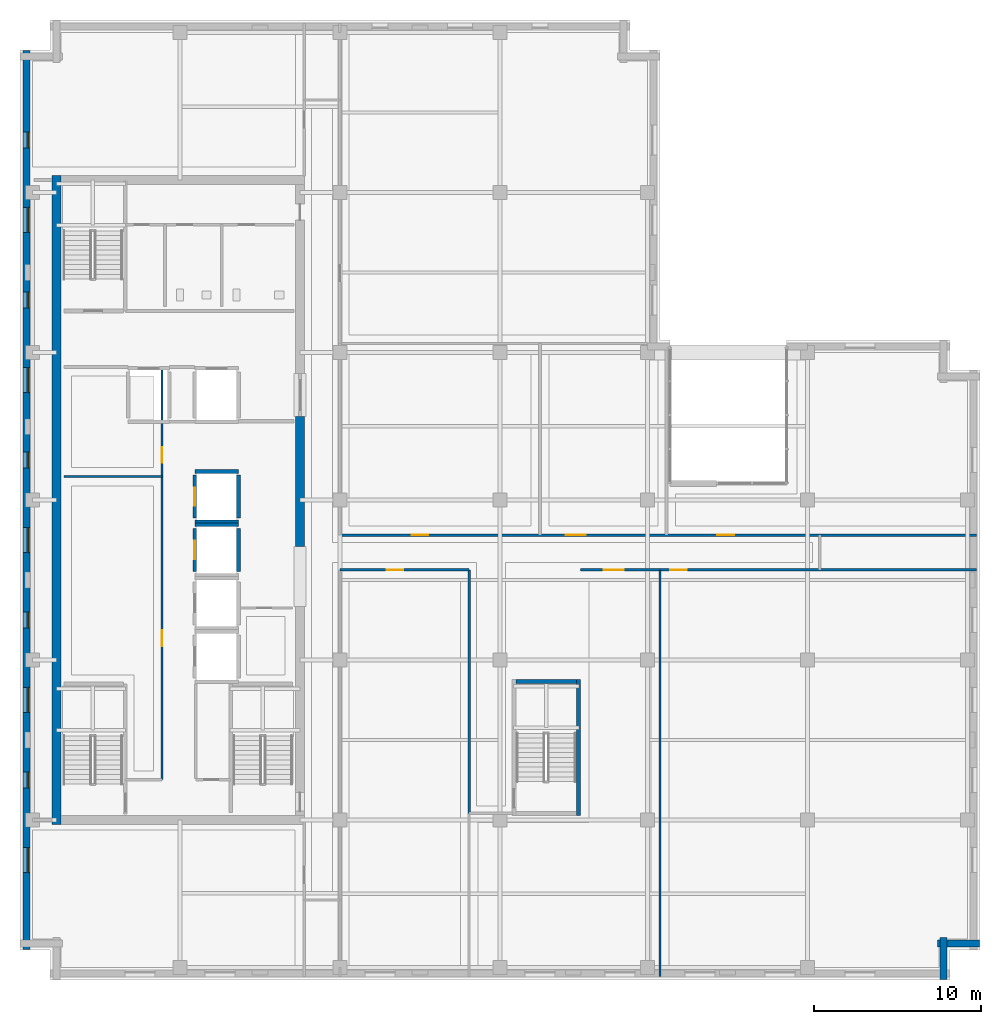
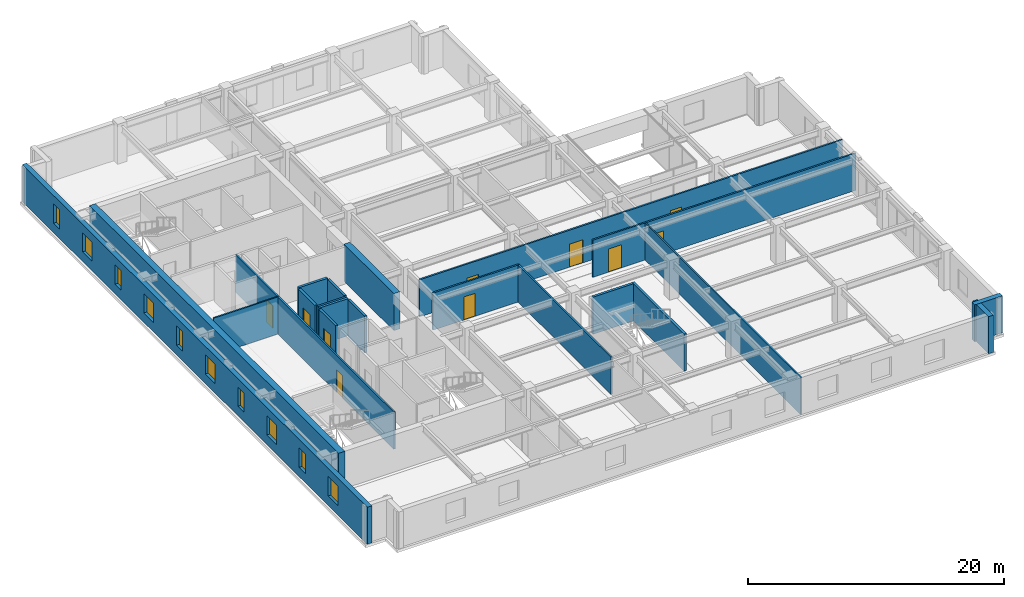
# One storey, part 4 of 12: 21 walls, 10 doors, 10 windows, 20 openings.
"""IFC4 building model written with IfcOpenShell, lengths in metres."""

from ifc_helpers import new_model, si_unit, direction, frame, frame_2d, origin, place, context, subcontext, project, spatial, rectangle, extrude, material, layer, layer_set, type_object, element, fill, save


model = new_model("IFC4")

# Units and contexts
model_context = context("Model", 3, precision=1e-05, world=origin(), true_north=direction((0.0, 1.0)))
body_context = subcontext(model_context, "Body", "Model", "MODEL_VIEW")
ifc_project = project(units=[si_unit("LENGTHUNIT", "METRE"), si_unit("AREAUNIT", "SQUARE_METRE"), si_unit("VOLUMEUNIT", "CUBIC_METRE"), si_unit("PLANEANGLEUNIT", "RADIAN"), si_unit("MASSUNIT", "GRAM", prefix="KILO")], contexts=[model_context])

# Site, building, storey
site_placement = place(None, origin())
site = spatial("IfcSite", under=ifc_project, at=site_placement, CompositionType="ELEMENT")
building_placement = place(site_placement, origin())
building = spatial("IfcBuilding", under=site, at=building_placement, Name="Norrvale University Quadrangle", CompositionType="ELEMENT")
storey_placement = place(building_placement, frame((0.0, 0.0, 225.60009765625)))
storey = spatial("IfcBuildingStorey", under=building, at=storey_placement, Name="L57", CompositionType="ELEMENT", Elevation=225.60009765625)

# Walls
ifc_material_1 = material(Name="Buff Norman Clay Brick Masonry", Category="masonry")
ifc_layer_1 = layer(ifc_material_1, 0.419921875, Name="Buff Norman Clay Brick Masonry")
ifc_layer_set_1 = layer_set([ifc_layer_1], Name="Buff Norman Clay Brick Masonry")
wall_type_1 = type_object("IfcWallType", Name="Wall Buff Brick 420", PredefinedType="SOLIDWALL", material=ifc_layer_set_1)
for number, where, z_axis, x_axis, name in (
    (1, (55.409912109375, 0.0400390625, 0.0), (0.0, 0.0, 1.0), (0.0, 1.0, 0.0), "Exterior Brick Facade Wall L57-02.1"),
    (2, (55.06005859375, 2.18994140625, 0.0), (0.0, 0.0, 1.0), (1.0, 0.0, 0.0), "Exterior Brick Facade Wall L57-03.1"),
):
    element("IfcWall", number, at=place(storey_placement, frame(where, z_axis=z_axis, x_axis=x_axis)), inside=storey, type_object=wall_type_1, Name=name, PredefinedType="SOLIDWALL", context=body_context, shape_type="SweptSolid", body=[
        extrude(rectangle(XDim=2.5, YDim=0.419921875, at=frame_2d((1.25, 0.0))), origin(), (0.0, 0.0, 1.0), 3.539794921875),
    ])

# Wall, openings, windows
wall_1_placement = place(storey_placement, frame((0.389892578125, 55.760009765625, 0.0), z_axis=(0.0, 0.0, 1.0), x_axis=(0.0, -1.0, 0.0)))
wall_1 = element("IfcWall", 3, at=wall_1_placement, inside=storey, type_object=wall_type_1, Name="Exterior Brick Facade Wall L57-14.1", PredefinedType="SOLIDWALL", context=body_context, shape_type="SweptSolid", body=[
    extrude(rectangle(XDim=53.919921875, YDim=0.419921875, at=frame_2d((26.9599609375, 0.0))), origin(), (0.0, 0.0, 1.0), 3.539794921875),
])
opening_1_placement = place(wall_1_placement, frame((4.885009765625, 0.0, 0.89990234375)))
opening_1 = element("IfcOpeningElement", 4, at=opening_1_placement, cuts=wall_1, Name="Opening W04", PredefinedType="OPENING", context=body_context, shape_type="SweptSolid", body=[
    extrude(rectangle(XDim=0.949951171875, YDim=1.85009765625, at=frame_2d((0.47509765625, 0.925048828125))), frame((0.0, 0.221923828125, 0.0), z_axis=(0.0, -1.0, 0.0), x_axis=(1.0, 0.0, 0.0)), (0.0, 0.0, 1.0), 0.44384765625),
])
opening_2_placement = place(wall_1_placement, frame((9.409912109375, 0.0, 0.89990234375)))
opening_2 = element("IfcOpeningElement", 5, at=opening_2_placement, cuts=wall_1, Name="Opening W03", PredefinedType="OPENING", context=body_context, shape_type="SweptSolid", body=[
    extrude(rectangle(XDim=1.5, YDim=1.85009765625, at=frame_2d((0.75, 0.925048828125))), frame((0.0, 0.221923828125, 0.0), z_axis=(0.0, -1.0, 0.0), x_axis=(1.0, 0.0, 0.0)), (0.0, 0.0, 1.0), 0.44384765625),
])
opening_3_placement = place(wall_1_placement, frame((14.485107421875, 0.0, 0.89990234375)))
opening_3 = element("IfcOpeningElement", 6, at=opening_3_placement, cuts=wall_1, Name="Opening W04", PredefinedType="OPENING", context=body_context, shape_type="SweptSolid", body=[
    extrude(rectangle(XDim=0.949951171875, YDim=1.85009765625, at=frame_2d((0.47509765625, 0.925048828125))), frame((0.0, 0.221923828125, 0.0), z_axis=(0.0, -1.0, 0.0), x_axis=(1.0, 0.0, 0.0)), (0.0, 0.0, 1.0), 0.44384765625),
])
opening_4_placement = place(wall_1_placement, frame((19.010009765625, 0.0, 0.89990234375)))
opening_4 = element("IfcOpeningElement", 7, at=opening_4_placement, cuts=wall_1, Name="Opening W03", PredefinedType="OPENING", context=body_context, shape_type="SweptSolid", body=[
    extrude(rectangle(XDim=1.5, YDim=1.85009765625, at=frame_2d((0.75, 0.925048828125))), frame((0.0, 0.221923828125, 0.0), z_axis=(0.0, -1.0, 0.0), x_axis=(1.0, 0.0, 0.0)), (0.0, 0.0, 1.0), 0.44384765625),
])
opening_5_placement = place(wall_1_placement, frame((24.0849609375, 0.0, 0.89990234375)))
opening_5 = element("IfcOpeningElement", 8, at=opening_5_placement, cuts=wall_1, Name="Opening W04", PredefinedType="OPENING", context=body_context, shape_type="SweptSolid", body=[
    extrude(rectangle(XDim=0.949951171875, YDim=1.85009765625, at=frame_2d((0.47509765625, 0.925048828125))), frame((0.0, 0.221923828125, 0.0), z_axis=(0.0, -1.0, 0.0), x_axis=(1.0, 0.0, 0.0)), (0.0, 0.0, 1.0), 0.44384765625),
])
opening_6_placement = place(wall_1_placement, frame((28.610107421875, 0.0, 0.89990234375)))
opening_6 = element("IfcOpeningElement", 9, at=opening_6_placement, cuts=wall_1, Name="Opening W03", PredefinedType="OPENING", context=body_context, shape_type="SweptSolid", body=[
    extrude(rectangle(XDim=1.5, YDim=1.85009765625, at=frame_2d((0.75, 0.925048828125))), frame((0.0, 0.221923828125, 0.0), z_axis=(0.0, -1.0, 0.0), x_axis=(1.0, 0.0, 0.0)), (0.0, 0.0, 1.0), 0.44384765625),
])
opening_7_placement = place(wall_1_placement, frame((33.68505859375, 0.0, 0.89990234375)))
opening_7 = element("IfcOpeningElement", 10, at=opening_7_placement, cuts=wall_1, Name="Opening W04", PredefinedType="OPENING", context=body_context, shape_type="SweptSolid", body=[
    extrude(rectangle(XDim=0.949951171875, YDim=1.85009765625, at=frame_2d((0.47509765625, 0.925048828125))), frame((0.0, 0.221923828125, 0.0), z_axis=(0.0, -1.0, 0.0), x_axis=(1.0, 0.0, 0.0)), (0.0, 0.0, 1.0), 0.44384765625),
])
opening_8_placement = place(wall_1_placement, frame((38.2099609375, 0.0, 0.89990234375)))
opening_8 = element("IfcOpeningElement", 11, at=opening_8_placement, cuts=wall_1, Name="Opening W03", PredefinedType="OPENING", context=body_context, shape_type="SweptSolid", body=[
    extrude(rectangle(XDim=1.5, YDim=1.85009765625, at=frame_2d((0.75, 0.925048828125))), frame((0.0, 0.221923828125, 0.0), z_axis=(0.0, -1.0, 0.0), x_axis=(1.0, 0.0, 0.0)), (0.0, 0.0, 1.0), 0.44384765625),
])
opening_9_placement = place(wall_1_placement, frame((43.284912109375, 0.0, 0.89990234375)))
opening_9 = element("IfcOpeningElement", 12, at=opening_9_placement, cuts=wall_1, Name="Opening W04", PredefinedType="OPENING", context=body_context, shape_type="SweptSolid", body=[
    extrude(rectangle(XDim=0.949951171875, YDim=1.85009765625, at=frame_2d((0.47509765625, 0.925048828125))), frame((0.0, 0.221923828125, 0.0), z_axis=(0.0, -1.0, 0.0), x_axis=(1.0, 0.0, 0.0)), (0.0, 0.0, 1.0), 0.44384765625),
])
opening_10_placement = place(wall_1_placement, frame((47.81005859375, 0.0, 0.89990234375)))
opening_10 = element("IfcOpeningElement", 13, at=opening_10_placement, cuts=wall_1, Name="Opening W03", PredefinedType="OPENING", context=body_context, shape_type="SweptSolid", body=[
    extrude(rectangle(XDim=1.5, YDim=1.85009765625, at=frame_2d((0.75, 0.925048828125))), frame((0.0, 0.221923828125, 0.0), z_axis=(0.0, -1.0, 0.0), x_axis=(1.0, 0.0, 0.0)), (0.0, 0.0, 1.0), 0.44384765625),
])
ifc_material_2 = material(Name="Triple Low-E Argon Glazing", Category="glass")
window_type_1 = type_object("IfcWindowType", Name="Window Narrow Pier 950x2300", PartitioningType="SINGLE_PANEL", PredefinedType="WINDOW", material=ifc_material_2)
window_1_placement = place(opening_1_placement, origin())
window_1 = element("IfcWindow", 14, at=window_1_placement, inside=storey, type_object=window_type_1, Name="Window Narrow Pier 950x2300 WIN-L57-E14-1-01", OverallHeight=1.85009765625, OverallWidth=0.949951171875, PartitioningType="SINGLE_PANEL", PredefinedType="WINDOW", context=body_context, shape_type="SweptSolid", body=[
    extrude(rectangle(XDim=0.949951171875, YDim=1.85009765625, at=frame_2d((0.47509765625, 0.925048828125))), frame((0.0, 0.110107421875, 0.0), z_axis=(0.0, -1.0, 0.0), x_axis=(1.0, 0.0, 0.0)), (0.0, 0.0, 1.0), 0.06005859375),
])
fill(opening_1, window_1)
window_2_placement = place(opening_3_placement, origin())
window_2 = element("IfcWindow", 15, at=window_2_placement, inside=storey, type_object=window_type_1, Name="Window Narrow Pier 950x2300 WIN-L57-E14-1-03", OverallHeight=1.85009765625, OverallWidth=0.949951171875, PartitioningType="SINGLE_PANEL", PredefinedType="WINDOW", context=body_context, shape_type="SweptSolid", body=[
    extrude(rectangle(XDim=0.949951171875, YDim=1.85009765625, at=frame_2d((0.47509765625, 0.925048828125))), frame((0.0, 0.110107421875, 0.0), z_axis=(0.0, -1.0, 0.0), x_axis=(1.0, 0.0, 0.0)), (0.0, 0.0, 1.0), 0.06005859375),
])
fill(opening_3, window_2)
window_3_placement = place(opening_5_placement, origin())
window_3 = element("IfcWindow", 16, at=window_3_placement, inside=storey, type_object=window_type_1, Name="Window Narrow Pier 950x2300 WIN-L57-E14-1-05", OverallHeight=1.85009765625, OverallWidth=0.949951171875, PartitioningType="SINGLE_PANEL", PredefinedType="WINDOW", context=body_context, shape_type="SweptSolid", body=[
    extrude(rectangle(XDim=0.949951171875, YDim=1.85009765625, at=frame_2d((0.47509765625, 0.925048828125))), frame((0.0, 0.110107421875, 0.0), z_axis=(0.0, -1.0, 0.0), x_axis=(1.0, 0.0, 0.0)), (0.0, 0.0, 1.0), 0.06005859375),
])
fill(opening_5, window_3)
window_4_placement = place(opening_7_placement, origin())
window_4 = element("IfcWindow", 17, at=window_4_placement, inside=storey, type_object=window_type_1, Name="Window Narrow Pier 950x2300 WIN-L57-E14-1-07", OverallHeight=1.85009765625, OverallWidth=0.949951171875, PartitioningType="SINGLE_PANEL", PredefinedType="WINDOW", context=body_context, shape_type="SweptSolid", body=[
    extrude(rectangle(XDim=0.949951171875, YDim=1.85009765625, at=frame_2d((0.47509765625, 0.925048828125))), frame((0.0, 0.110107421875, 0.0), z_axis=(0.0, -1.0, 0.0), x_axis=(1.0, 0.0, 0.0)), (0.0, 0.0, 1.0), 0.06005859375),
])
fill(opening_7, window_4)
window_5_placement = place(opening_9_placement, origin())
window_5 = element("IfcWindow", 18, at=window_5_placement, inside=storey, type_object=window_type_1, Name="Window Narrow Pier 950x2300 WIN-L57-E14-1-09", OverallHeight=1.85009765625, OverallWidth=0.949951171875, PartitioningType="SINGLE_PANEL", PredefinedType="WINDOW", context=body_context, shape_type="SweptSolid", body=[
    extrude(rectangle(XDim=0.949951171875, YDim=1.85009765625, at=frame_2d((0.47509765625, 0.925048828125))), frame((0.0, 0.110107421875, 0.0), z_axis=(0.0, -1.0, 0.0), x_axis=(1.0, 0.0, 0.0)), (0.0, 0.0, 1.0), 0.06005859375),
])
fill(opening_9, window_5)
window_type_2 = type_object("IfcWindowType", Name="Window Studio 1500x2300", PartitioningType="DOUBLE_PANEL_VERTICAL", PredefinedType="WINDOW", material=ifc_material_2)
window_6_placement = place(opening_2_placement, origin())
window_6 = element("IfcWindow", 19, at=window_6_placement, inside=storey, type_object=window_type_2, Name="Window Studio 1500x2300 WIN-L57-E14-1-02", OverallHeight=1.85009765625, OverallWidth=1.5, PartitioningType="DOUBLE_PANEL_VERTICAL", PredefinedType="WINDOW", context=body_context, shape_type="SweptSolid", body=[
    extrude(rectangle(XDim=1.5, YDim=1.85009765625, at=frame_2d((0.75, 0.925048828125))), frame((0.0, 0.110107421875, 0.0), z_axis=(0.0, -1.0, 0.0), x_axis=(1.0, 0.0, 0.0)), (0.0, 0.0, 1.0), 0.06005859375),
])
fill(opening_2, window_6)
window_7_placement = place(opening_4_placement, origin())
window_7 = element("IfcWindow", 20, at=window_7_placement, inside=storey, type_object=window_type_2, Name="Window Studio 1500x2300 WIN-L57-E14-1-04", OverallHeight=1.85009765625, OverallWidth=1.5, PartitioningType="DOUBLE_PANEL_VERTICAL", PredefinedType="WINDOW", context=body_context, shape_type="SweptSolid", body=[
    extrude(rectangle(XDim=1.5, YDim=1.85009765625, at=frame_2d((0.75, 0.925048828125))), frame((0.0, 0.110107421875, 0.0), z_axis=(0.0, -1.0, 0.0), x_axis=(1.0, 0.0, 0.0)), (0.0, 0.0, 1.0), 0.06005859375),
])
fill(opening_4, window_7)
window_8_placement = place(opening_6_placement, origin())
window_8 = element("IfcWindow", 21, at=window_8_placement, inside=storey, type_object=window_type_2, Name="Window Studio 1500x2300 WIN-L57-E14-1-06", OverallHeight=1.85009765625, OverallWidth=1.5, PartitioningType="DOUBLE_PANEL_VERTICAL", PredefinedType="WINDOW", context=body_context, shape_type="SweptSolid", body=[
    extrude(rectangle(XDim=1.5, YDim=1.85009765625, at=frame_2d((0.75, 0.925048828125))), frame((0.0, 0.110107421875, 0.0), z_axis=(0.0, -1.0, 0.0), x_axis=(1.0, 0.0, 0.0)), (0.0, 0.0, 1.0), 0.06005859375),
])
fill(opening_6, window_8)
window_9_placement = place(opening_8_placement, origin())
window_9 = element("IfcWindow", 22, at=window_9_placement, inside=storey, type_object=window_type_2, Name="Window Studio 1500x2300 WIN-L57-E14-1-08", OverallHeight=1.85009765625, OverallWidth=1.5, PartitioningType="DOUBLE_PANEL_VERTICAL", PredefinedType="WINDOW", context=body_context, shape_type="SweptSolid", body=[
    extrude(rectangle(XDim=1.5, YDim=1.85009765625, at=frame_2d((0.75, 0.925048828125))), frame((0.0, 0.110107421875, 0.0), z_axis=(0.0, -1.0, 0.0), x_axis=(1.0, 0.0, 0.0)), (0.0, 0.0, 1.0), 0.06005859375),
])
fill(opening_8, window_9)
window_10_placement = place(opening_10_placement, origin())
window_10 = element("IfcWindow", 23, at=window_10_placement, inside=storey, type_object=window_type_2, Name="Window Studio 1500x2300 WIN-L57-E14-1-10", OverallHeight=1.85009765625, OverallWidth=1.5, PartitioningType="DOUBLE_PANEL_VERTICAL", PredefinedType="WINDOW", context=body_context, shape_type="SweptSolid", body=[
    extrude(rectangle(XDim=1.5, YDim=1.85009765625, at=frame_2d((0.75, 0.925048828125))), frame((0.0, 0.110107421875, 0.0), z_axis=(0.0, -1.0, 0.0), x_axis=(1.0, 0.0, 0.0)), (0.0, 0.0, 1.0), 0.06005859375),
])
fill(opening_10, window_10)

# Walls
ifc_material_3 = material(Name="Concrete C60/75", Category="concrete")
ifc_layer_2 = layer(ifc_material_3, 0.550048828125, Name="Concrete C60/75")
ifc_layer_set_2 = layer_set([ifc_layer_2], Name="Concrete C60/75")
wall_type_2 = type_object("IfcWallType", Name="Wall Core 550", PredefinedType="SHEAR", material=ifc_layer_set_2)
wall_2_placement = place(storey_placement, frame((2.199951171875, 9.324951171875, 0.0), z_axis=(0.0, 0.0, 1.0), x_axis=(0.0, 1.0, 0.0)))
element("IfcWall", 24, at=wall_2_placement, inside=storey, type_object=wall_type_2, Name="Tower Core Shear Wall L57-W", PredefinedType="SHEAR", context=body_context, shape_type="SweptSolid", body=[
    extrude(rectangle(XDim=38.949951171875, YDim=0.550048828125, at=frame_2d((19.47509765625, 0.0))), origin(), (0.0, 0.0, 1.0), 3.539794921875),
])
wall_3_placement = place(storey_placement, frame((16.800048828125, 26.0, 0.0), z_axis=(0.0, 0.0, 1.0), x_axis=(0.0, 1.0, 0.0)))
element("IfcWall", 25, at=wall_3_placement, inside=storey, type_object=wall_type_2, Name="Tower Core Shear Wall L57-E2", PredefinedType="SHEAR", context=body_context, shape_type="SweptSolid", body=[
    extrude(rectangle(XDim=7.800048828125, YDim=0.550048828125, at=frame_2d((3.89990234375, 0.0))), origin(), (0.0, 0.0, 1.0), 3.539794921875),
])
ifc_material_4 = material(Name="Standard Academic Gypsum Partition")
ifc_layer_3 = layer(ifc_material_4, 0.125, Name="Standard Academic Gypsum Partition")
ifc_layer_set_3 = layer_set([ifc_layer_3], Name="Standard Academic Gypsum Partition")
wall_type_3 = type_object("IfcWallType", Name="Wall Gypsum Academic 125", PredefinedType="PARTITIONING", material=ifc_layer_set_3)
wall_4_placement = place(storey_placement, frame((2.64990234375, 30.199951171875, 0.0), z_axis=(0.0, 0.0, 1.0), x_axis=(1.0, 0.0, 0.0)))
element("IfcWall", 26, at=wall_4_placement, inside=storey, type_object=wall_type_3, Name="Interior Partition WL-L57-REC-M", PredefinedType="PARTITIONING", context=body_context, shape_type="SweptSolid", body=[
    extrude(rectangle(XDim=5.8701171875, YDim=0.125, at=frame_2d((2.93505859375, 0.0))), origin(), (0.0, 0.0, 1.0), 3.539794921875),
])
wall_5_placement = place(storey_placement, frame((38.39990234375, 0.219970703125, 0.0), z_axis=(0.0, 0.0, 1.0), x_axis=(0.0, 1.0, 0.0)))
element("IfcWall", 27, at=wall_5_placement, inside=storey, type_object=wall_type_3, Name="Interior Partition WL-L57-SEP2", PredefinedType="PARTITIONING", context=body_context, shape_type="SweptSolid", body=[
    extrude(rectangle(XDim=24.380126953125, YDim=0.125, at=frame_2d((12.18994140625, 0.0))), origin(), (0.0, 0.0, 1.0), 3.539794921875),
])

# Wall, openings, doors
ifc_material_5 = material(Name="Fire-Rated Gypsum Stud Partition")
ifc_layer_4 = layer(ifc_material_5, 0.14990234375, Name="Fire-Rated Gypsum Stud Partition")
ifc_layer_set_4 = layer_set([ifc_layer_4], Name="Fire-Rated Gypsum Stud Partition")
wall_type_4 = type_object("IfcWallType", Name="Wall Gypsum Corridor 150", PredefinedType="PARTITIONING", material=ifc_layer_set_4)
wall_6_placement = place(storey_placement, frame((8.52001953125, 12.02001953125, 0.0), z_axis=(0.0, 0.0, 1.0), x_axis=(0.0, 1.0, 0.0)))
wall_6 = element("IfcWall", 28, at=wall_6_placement, inside=storey, type_object=wall_type_4, Name="Interior Partition WL-L57-REC-E", PredefinedType="PARTITIONING", context=body_context, shape_type="SweptSolid", body=[
    extrude(rectangle(XDim=24.760009765625, YDim=0.14990234375, at=frame_2d((12.3798828125, 0.0))), origin(), (0.0, 0.0, 1.0), 3.539794921875),
])
opening_11_placement = place(wall_6_placement, frame((8.0, 0.0, 0.0)))
opening_11 = element("IfcOpeningElement", 29, at=opening_11_placement, cuts=wall_6, Name="Opening D07", PredefinedType="OPENING", context=body_context, shape_type="SweptSolid", body=[
    extrude(rectangle(XDim=0.949951171875, YDim=2.14990234375, at=frame_2d((0.47509765625, 1.074951171875))), frame((0.0, 0.0869140625, 0.0), z_axis=(0.0, -1.0, 0.0), x_axis=(1.0, 0.0, 0.0)), (0.0, 0.0, 1.0), 0.173828125),
])
opening_12_placement = place(wall_6_placement, frame((19.0, 0.0, 0.0)))
opening_12 = element("IfcOpeningElement", 30, at=opening_12_placement, cuts=wall_6, Name="Opening D07", PredefinedType="OPENING", context=body_context, shape_type="SweptSolid", body=[
    extrude(rectangle(XDim=0.949951171875, YDim=2.14990234375, at=frame_2d((0.47509765625, 1.074951171875))), frame((0.0, 0.0869140625, 0.0), z_axis=(0.0, -1.0, 0.0), x_axis=(1.0, 0.0, 0.0)), (0.0, 0.0, 1.0), 0.173828125),
])
ifc_material_6 = material(Name="Solid-Core Maple Door", Category="wood")
door_type_1 = type_object("IfcDoorType", Name="Door Office 950x2150", OperationType="NOTDEFINED", PredefinedType="DOOR", material=ifc_material_6)
door_1_placement = place(opening_11_placement, origin())
door_1 = element("IfcDoor", 31, at=door_1_placement, inside=storey, type_object=door_type_1, Name="Door Office 950x2150 DR-L57-REC1", OperationType="SINGLE_SWING_LEFT", OverallHeight=2.14990234375, OverallWidth=0.949951171875, PredefinedType="DOOR", context=body_context, shape_type="SweptSolid", body=[
    extrude(rectangle(XDim=0.949951171875, YDim=2.14990234375, at=frame_2d((0.47509765625, 1.074951171875))), frame((0.0, 0.02490234375, 0.0), z_axis=(0.0, -1.0, 0.0), x_axis=(1.0, 0.0, 0.0)), (0.0, 0.0, 1.0), 0.050048828125),
])
fill(opening_11, door_1)
door_2_placement = place(opening_12_placement, origin())
door_2 = element("IfcDoor", 32, at=door_2_placement, inside=storey, type_object=door_type_1, Name="Door Office 950x2150 DR-L57-REC2", OperationType="SINGLE_SWING_RIGHT", OverallHeight=2.14990234375, OverallWidth=0.949951171875, PredefinedType="DOOR", context=body_context, shape_type="SweptSolid", body=[
    extrude(rectangle(XDim=0.949951171875, YDim=2.14990234375, at=frame_2d((0.47509765625, 1.074951171875))), frame((0.0, 0.02490234375, 0.0), z_axis=(0.0, -1.0, 0.0), x_axis=(1.0, 0.0, 0.0)), (0.0, 0.0, 1.0), 0.050048828125),
])
fill(opening_12, door_2)

# Wall, opening, door
wall_7_placement = place(storey_placement, frame((19.199951171875, 24.60009765625, 0.0), z_axis=(0.0, 0.0, 1.0), x_axis=(1.0, 0.0, 0.0)))
wall_7 = element("IfcWall", 33, at=wall_7_placement, inside=storey, type_object=wall_type_4, Name="Interior Partition WL-L57-SEW1", PredefinedType="PARTITIONING", context=body_context, shape_type="SweptSolid", body=[
    extrude(rectangle(XDim=7.75, YDim=0.14990234375, at=frame_2d((3.875, 0.0))), origin(), (0.0, 0.0, 1.0), 3.539794921875),
])
opening_13_placement = place(wall_7_placement, frame((2.800048828125, 0.0, 0.0)))
opening_13 = element("IfcOpeningElement", 34, at=opening_13_placement, cuts=wall_7, Name="Opening D04", PredefinedType="OPENING", context=body_context, shape_type="SweptSolid", body=[
    extrude(rectangle(XDim=1.0, YDim=2.199951171875, at=frame_2d((0.5, 1.10009765625))), frame((0.0, 0.0869140625, 0.0), z_axis=(0.0, -1.0, 0.0), x_axis=(1.0, 0.0, 0.0)), (0.0, 0.0, 1.0), 0.173828125),
])
ifc_material_7 = material(Name="Solid-Core Oak Fire Door", Category="wood")
door_type_2 = type_object("IfcDoorType", Name="Door Corridor 1000x2200", OperationType="NOTDEFINED", PredefinedType="DOOR", material=ifc_material_7)
door_3_placement = place(opening_13_placement, origin())
door_3 = element("IfcDoor", 35, at=door_3_placement, inside=storey, type_object=door_type_2, Name="Door Corridor 1000x2200 DR-L57-SE1", OperationType="SINGLE_SWING_LEFT", OverallHeight=2.199951171875, OverallWidth=1.0, PredefinedType="DOOR", context=body_context, shape_type="SweptSolid", body=[
    extrude(rectangle(XDim=1.0, YDim=2.199951171875, at=frame_2d((0.5, 1.10009765625))), frame((0.0, 0.02490234375, 0.0), z_axis=(0.0, -1.0, 0.0), x_axis=(1.0, 0.0, 0.0)), (0.0, 0.0, 1.0), 0.050048828125),
])
fill(opening_13, door_3)

# Wall
wall_8_placement = place(storey_placement, frame((26.949951171875, 10.0, 0.0), z_axis=(0.0, 0.0, 1.0), x_axis=(0.0, 1.0, 0.0)))
element("IfcWall", 36, at=wall_8_placement, inside=storey, type_object=wall_type_4, Name="Interior Partition WL-L57-SEP1B", PredefinedType="PARTITIONING", context=body_context, shape_type="SweptSolid", body=[
    extrude(rectangle(XDim=14.60009765625, YDim=0.14990234375, at=frame_2d((7.300048828125, 0.0))), origin(), (0.0, 0.0, 1.0), 3.539794921875),
])

# Wall, openings, doors
wall_9_placement = place(storey_placement, frame((33.6201171875, 24.60009765625, 0.0), z_axis=(0.0, 0.0, 1.0), x_axis=(1.0, 0.0, 0.0)))
wall_9 = element("IfcWall", 37, at=wall_9_placement, inside=storey, type_object=wall_type_4, Name="Interior Partition WL-L57-SEW2", PredefinedType="PARTITIONING", context=body_context, shape_type="SweptSolid", body=[
    extrude(rectangle(XDim=23.759765625, YDim=0.14990234375, at=frame_2d((11.8798828125, 0.0))), origin(), (0.0, 0.0, 1.0), 3.539794921875),
])
opening_14_placement = place(wall_9_placement, frame((1.39990234375, 0.0, 0.0)))
opening_14 = element("IfcOpeningElement", 38, at=opening_14_placement, cuts=wall_9, Name="Opening D05", PredefinedType="OPENING", context=body_context, shape_type="SweptSolid", body=[
    extrude(rectangle(XDim=1.199951171875, YDim=2.199951171875, at=frame_2d((0.60009765625, 1.10009765625))), frame((0.0, 0.0869140625, 0.0), z_axis=(0.0, -1.0, 0.0), x_axis=(1.0, 0.0, 0.0)), (0.0, 0.0, 1.0), 0.173828125),
])
opening_15_placement = place(wall_9_placement, frame((5.39990234375, 0.0, 0.0)))
opening_15 = element("IfcOpeningElement", 39, at=opening_15_placement, cuts=wall_9, Name="Opening D04", PredefinedType="OPENING", context=body_context, shape_type="SweptSolid", body=[
    extrude(rectangle(XDim=1.0, YDim=2.199951171875, at=frame_2d((0.5, 1.10009765625))), frame((0.0, 0.0869140625, 0.0), z_axis=(0.0, -1.0, 0.0), x_axis=(1.0, 0.0, 0.0)), (0.0, 0.0, 1.0), 0.173828125),
])
ifc_material_8 = material(Name="Acoustic Oak Classroom Door", Category="wood")
door_type_3 = type_object("IfcDoorType", Name="Door Classroom 1200x2200", OperationType="NOTDEFINED", PredefinedType="DOOR", material=ifc_material_8)
door_4_placement = place(opening_14_placement, origin())
door_4 = element("IfcDoor", 40, at=door_4_placement, inside=storey, type_object=door_type_3, Name="Door Classroom 1200x2200 DR-L57-SE2", OperationType="SINGLE_SWING_RIGHT", OverallHeight=2.199951171875, OverallWidth=1.199951171875, PredefinedType="DOOR", context=body_context, shape_type="SweptSolid", body=[
    extrude(rectangle(XDim=1.199951171875, YDim=2.199951171875, at=frame_2d((0.60009765625, 1.10009765625))), frame((0.0, 0.02490234375, 0.0), z_axis=(0.0, -1.0, 0.0), x_axis=(1.0, 0.0, 0.0)), (0.0, 0.0, 1.0), 0.050048828125),
])
fill(opening_14, door_4)
door_5_placement = place(opening_15_placement, origin())
door_5 = element("IfcDoor", 41, at=door_5_placement, inside=storey, type_object=door_type_2, Name="Door Corridor 1000x2200 DR-L57-SE3", OperationType="SINGLE_SWING_LEFT", OverallHeight=2.199951171875, OverallWidth=1.0, PredefinedType="DOOR", context=body_context, shape_type="SweptSolid", body=[
    extrude(rectangle(XDim=1.0, YDim=2.199951171875, at=frame_2d((0.5, 1.10009765625))), frame((0.0, 0.02490234375, 0.0), z_axis=(0.0, -1.0, 0.0), x_axis=(1.0, 0.0, 0.0)), (0.0, 0.0, 1.0), 0.050048828125),
])
fill(opening_15, door_5)

wall_10_placement = place(storey_placement, frame((19.199951171875, 26.699951171875, 0.0), z_axis=(0.0, 0.0, 1.0), x_axis=(1.0, 0.0, 0.0)))
wall_10 = element("IfcWall", 42, at=wall_10_placement, inside=storey, type_object=wall_type_4, Name="Interior Partition WL-L57-MECW", PredefinedType="PARTITIONING", context=body_context, shape_type="SweptSolid", body=[
    extrude(rectangle(XDim=38.179931640625, YDim=0.14990234375, at=frame_2d((19.08984375, 0.0))), origin(), (0.0, 0.0, 1.0), 3.539794921875),
])
opening_16_placement = place(wall_10_placement, frame((4.300048828125, 0.0, 0.0)))
opening_16 = element("IfcOpeningElement", 43, at=opening_16_placement, cuts=wall_10, Name="Opening D04", PredefinedType="OPENING", context=body_context, shape_type="SweptSolid", body=[
    extrude(rectangle(XDim=1.0, YDim=2.199951171875, at=frame_2d((0.5, 1.10009765625))), frame((0.0, 0.0869140625, 0.0), z_axis=(0.0, -1.0, 0.0), x_axis=(1.0, 0.0, 0.0)), (0.0, 0.0, 1.0), 0.173828125),
])
opening_17_placement = place(wall_10_placement, frame((13.550048828125, 0.0, 0.0)))
opening_17 = element("IfcOpeningElement", 44, at=opening_17_placement, cuts=wall_10, Name="Opening D05", PredefinedType="OPENING", context=body_context, shape_type="SweptSolid", body=[
    extrude(rectangle(XDim=1.199951171875, YDim=2.199951171875, at=frame_2d((0.60009765625, 1.10009765625))), frame((0.0, 0.0869140625, 0.0), z_axis=(0.0, -1.0, 0.0), x_axis=(1.0, 0.0, 0.0)), (0.0, 0.0, 1.0), 0.173828125),
])
opening_18_placement = place(wall_10_placement, frame((22.64990234375, 0.0, 0.0)))
opening_18 = element("IfcOpeningElement", 45, at=opening_18_placement, cuts=wall_10, Name="Opening D04", PredefinedType="OPENING", context=body_context, shape_type="SweptSolid", body=[
    extrude(rectangle(XDim=1.0, YDim=2.199951171875, at=frame_2d((0.5, 1.10009765625))), frame((0.0, 0.0869140625, 0.0), z_axis=(0.0, -1.0, 0.0), x_axis=(1.0, 0.0, 0.0)), (0.0, 0.0, 1.0), 0.173828125),
])
door_6_placement = place(opening_17_placement, origin())
door_6 = element("IfcDoor", 46, at=door_6_placement, inside=storey, type_object=door_type_3, Name="Door Classroom 1200x2200 DR-L57-ME02", OperationType="SINGLE_SWING_RIGHT", OverallHeight=2.199951171875, OverallWidth=1.199951171875, PredefinedType="DOOR", context=body_context, shape_type="SweptSolid", body=[
    extrude(rectangle(XDim=1.199951171875, YDim=2.199951171875, at=frame_2d((0.60009765625, 1.10009765625))), frame((0.0, 0.02490234375, 0.0), z_axis=(0.0, -1.0, 0.0), x_axis=(1.0, 0.0, 0.0)), (0.0, 0.0, 1.0), 0.050048828125),
])
fill(opening_17, door_6)
door_7_placement = place(opening_16_placement, origin())
door_7 = element("IfcDoor", 47, at=door_7_placement, inside=storey, type_object=door_type_2, Name="Door Corridor 1000x2200 DR-L57-ME01", OperationType="SINGLE_SWING_LEFT", OverallHeight=2.199951171875, OverallWidth=1.0, PredefinedType="DOOR", context=body_context, shape_type="SweptSolid", body=[
    extrude(rectangle(XDim=1.0, YDim=2.199951171875, at=frame_2d((0.5, 1.10009765625))), frame((0.0, 0.02490234375, 0.0), z_axis=(0.0, -1.0, 0.0), x_axis=(1.0, 0.0, 0.0)), (0.0, 0.0, 1.0), 0.050048828125),
])
fill(opening_16, door_7)
door_8_placement = place(opening_18_placement, origin())
door_8 = element("IfcDoor", 48, at=door_8_placement, inside=storey, type_object=door_type_2, Name="Door Corridor 1000x2200 DR-L57-ME03", OperationType="SINGLE_SWING_LEFT", OverallHeight=2.199951171875, OverallWidth=1.0, PredefinedType="DOOR", context=body_context, shape_type="SweptSolid", body=[
    extrude(rectangle(XDim=1.0, YDim=2.199951171875, at=frame_2d((0.5, 1.10009765625))), frame((0.0, 0.02490234375, 0.0), z_axis=(0.0, -1.0, 0.0), x_axis=(1.0, 0.0, 0.0)), (0.0, 0.0, 1.0), 0.050048828125),
])
fill(opening_18, door_8)

# Walls
ifc_material_9 = material(Name="Concrete Blockwork 20 MPa Fire Shaft", Category="masonry")
ifc_layer_5 = layer(ifc_material_9, 0.219970703125, Name="Concrete Blockwork 20 MPa Fire Shaft")
ifc_layer_set_5 = layer_set([ifc_layer_5], Name="Concrete Blockwork 20 MPa Fire Shaft")
wall_type_5 = type_object("IfcWallType", Name="Wall Shaft 220", PredefinedType="SOLIDWALL", material=ifc_layer_set_5)
wall_11_placement = place(storey_placement, frame((33.510009765625, 9.8798828125, 0.0), z_axis=(0.0, 0.0, 1.0), x_axis=(0.0, 1.0, 0.0)))
element("IfcWall", 49, at=wall_11_placement, inside=storey, type_object=wall_type_5, Name="Stair ST-04 East Shaft Wall L57", PredefinedType="SOLIDWALL", context=body_context, shape_type="SweptSolid", body=[
    extrude(rectangle(XDim=8.14013671875, YDim=0.219970703125, at=frame_2d((4.070068359375, 0.0))), origin(), (0.0, 0.0, 1.0), 3.539794921875),
])
wall_12_placement = place(storey_placement, frame((29.75, 17.909912109375, 0.0), z_axis=(0.0, 0.0, 1.0), x_axis=(1.0, 0.0, 0.0)))
element("IfcWall", 50, at=wall_12_placement, inside=storey, type_object=wall_type_5, Name="Stair ST-04 North Shaft Wall L57", PredefinedType="SOLIDWALL", context=body_context, shape_type="SweptSolid", body=[
    extrude(rectangle(XDim=3.64990234375, YDim=0.219970703125, at=frame_2d((1.824951171875, 0.0))), origin(), (0.0, 0.0, 1.0), 3.539794921875),
])

# Wall, opening, door
wall_13_placement = place(storey_placement, frame((10.489990234375, 24.510009765625, 0.0), z_axis=(0.0, 0.0, 1.0), x_axis=(0.0, 1.0, 0.0)))
wall_13 = element("IfcWall", 51, at=wall_13_placement, inside=storey, type_object=wall_type_5, Name="Hoistway PL-07 West Wall L57", PredefinedType="SOLIDWALL", context=body_context, shape_type="SweptSolid", body=[
    extrude(rectangle(XDim=2.580078125, YDim=0.219970703125, at=frame_2d((1.2900390625, 0.0))), origin(), (0.0, 0.0, 1.0), 3.539794921875),
])
opening_19_placement = place(wall_13_placement, frame((0.739990234375, 0.0, 0.0)))
opening_19 = element("IfcOpeningElement", 52, at=opening_19_placement, cuts=wall_13, Name="Opening LD1", PredefinedType="OPENING", context=body_context, shape_type="SweptSolid", body=[
    extrude(rectangle(XDim=1.10009765625, YDim=2.199951171875, at=frame_2d((0.550048828125, 1.10009765625))), frame((0.0, 0.1220703125, 0.0), z_axis=(0.0, -1.0, 0.0), x_axis=(1.0, 0.0, 0.0)), (0.0, 0.0, 1.0), 0.243896484375),
])
ifc_material_10 = material(Name="Stainless Steel 316L Lift Landing Door", Category="steel")
door_type_4 = type_object("IfcDoorType", Name="Door Lift Landing 1100x2200", OperationType="DOUBLE_DOOR_SLIDING", PredefinedType="DOOR", material=ifc_material_10)
door_9_placement = place(opening_19_placement, origin())
door_9 = element("IfcDoor", 53, at=door_9_placement, inside=storey, type_object=door_type_4, Name="Elevator Landing Door DR-L57-PL-07", OperationType="DOUBLE_DOOR_SLIDING", OverallHeight=2.199951171875, OverallWidth=1.10009765625, PredefinedType="DOOR", context=body_context, shape_type="SweptSolid", body=[
    extrude(rectangle(XDim=1.10009765625, YDim=2.199951171875, at=frame_2d((0.550048828125, 1.10009765625))), frame((0.0, 0.02490234375, 0.0), z_axis=(0.0, -1.0, 0.0), x_axis=(1.0, 0.0, 0.0)), (0.0, 0.0, 1.0), 0.050048828125),
])
fill(opening_19, door_9)

# Walls
wall_14_placement = place(storey_placement, frame((13.110107421875, 24.510009765625, 0.0), z_axis=(0.0, 0.0, 1.0), x_axis=(0.0, 1.0, 0.0)))
element("IfcWall", 54, at=wall_14_placement, inside=storey, type_object=wall_type_5, Name="Hoistway PL-07 East Wall L57", PredefinedType="SOLIDWALL", context=body_context, shape_type="SweptSolid", body=[
    extrude(rectangle(XDim=2.580078125, YDim=0.219970703125, at=frame_2d((1.2900390625, 0.0))), origin(), (0.0, 0.0, 1.0), 3.539794921875),
])
wall_15_placement = place(storey_placement, frame((10.489990234375, 27.31005859375, 0.0), z_axis=(0.0, 0.0, 1.0), x_axis=(1.0, 0.0, 0.0)))
element("IfcWall", 55, at=wall_15_placement, inside=storey, type_object=wall_type_5, Name="Hoistway PL-07 North Wall L57", PredefinedType="SOLIDWALL", context=body_context, shape_type="SweptSolid", body=[
    extrude(rectangle(XDim=2.6201171875, YDim=0.219970703125, at=frame_2d((1.31005859375, 0.0))), origin(), (0.0, 0.0, 1.0), 3.539794921875),
])

# Wall, opening, door
wall_16_placement = place(storey_placement, frame((10.489990234375, 27.7099609375, 0.0), z_axis=(0.0, 0.0, 1.0), x_axis=(0.0, 1.0, 0.0)))
wall_16 = element("IfcWall", 56, at=wall_16_placement, inside=storey, type_object=wall_type_5, Name="Hoistway PL-08 West Wall L57", PredefinedType="SOLIDWALL", context=body_context, shape_type="SweptSolid", body=[
    extrude(rectangle(XDim=2.580078125, YDim=0.219970703125, at=frame_2d((1.2900390625, 0.0))), origin(), (0.0, 0.0, 1.0), 3.539794921875),
])
opening_20_placement = place(wall_16_placement, frame((0.739990234375, 0.0, 0.0)))
opening_20 = element("IfcOpeningElement", 57, at=opening_20_placement, cuts=wall_16, Name="Opening LD1", PredefinedType="OPENING", context=body_context, shape_type="SweptSolid", body=[
    extrude(rectangle(XDim=1.10009765625, YDim=2.199951171875, at=frame_2d((0.550048828125, 1.10009765625))), frame((0.0, 0.1220703125, 0.0), z_axis=(0.0, -1.0, 0.0), x_axis=(1.0, 0.0, 0.0)), (0.0, 0.0, 1.0), 0.243896484375),
])
door_10_placement = place(opening_20_placement, origin())
door_10 = element("IfcDoor", 58, at=door_10_placement, inside=storey, type_object=door_type_4, Name="Elevator Landing Door DR-L57-PL-08", OperationType="DOUBLE_DOOR_SLIDING", OverallHeight=2.199951171875, OverallWidth=1.10009765625, PredefinedType="DOOR", context=body_context, shape_type="SweptSolid", body=[
    extrude(rectangle(XDim=1.10009765625, YDim=2.199951171875, at=frame_2d((0.550048828125, 1.10009765625))), frame((0.0, 0.02490234375, 0.0), z_axis=(0.0, -1.0, 0.0), x_axis=(1.0, 0.0, 0.0)), (0.0, 0.0, 1.0), 0.050048828125),
])
fill(opening_20, door_10)

# Walls
wall_17_placement = place(storey_placement, frame((13.110107421875, 27.7099609375, 0.0), z_axis=(0.0, 0.0, 1.0), x_axis=(0.0, 1.0, 0.0)))
element("IfcWall", 59, at=wall_17_placement, inside=storey, type_object=wall_type_5, Name="Hoistway PL-08 East Wall L57", PredefinedType="SOLIDWALL", context=body_context, shape_type="SweptSolid", body=[
    extrude(rectangle(XDim=2.580078125, YDim=0.219970703125, at=frame_2d((1.2900390625, 0.0))), origin(), (0.0, 0.0, 1.0), 3.539794921875),
])
for number, where, z_axis, x_axis, name in (
    (60, (10.489990234375, 27.489990234375, 0.0), (0.0, 0.0, 1.0), (1.0, 0.0, 0.0), "Hoistway PL-08 South Wall L57"),
    (61, (10.489990234375, 30.510009765625, 0.0), (0.0, 0.0, 1.0), (1.0, 0.0, 0.0), "Hoistway PL-08 North Wall L57"),
):
    element("IfcWall", number, at=place(storey_placement, frame(where, z_axis=z_axis, x_axis=x_axis)), inside=storey, type_object=wall_type_5, Name=name, PredefinedType="SOLIDWALL", context=body_context, shape_type="SweptSolid", body=[
        extrude(rectangle(XDim=2.6201171875, YDim=0.219970703125, at=frame_2d((1.31005859375, 0.0))), origin(), (0.0, 0.0, 1.0), 3.539794921875),
    ])

save(model, "model.ifc")
